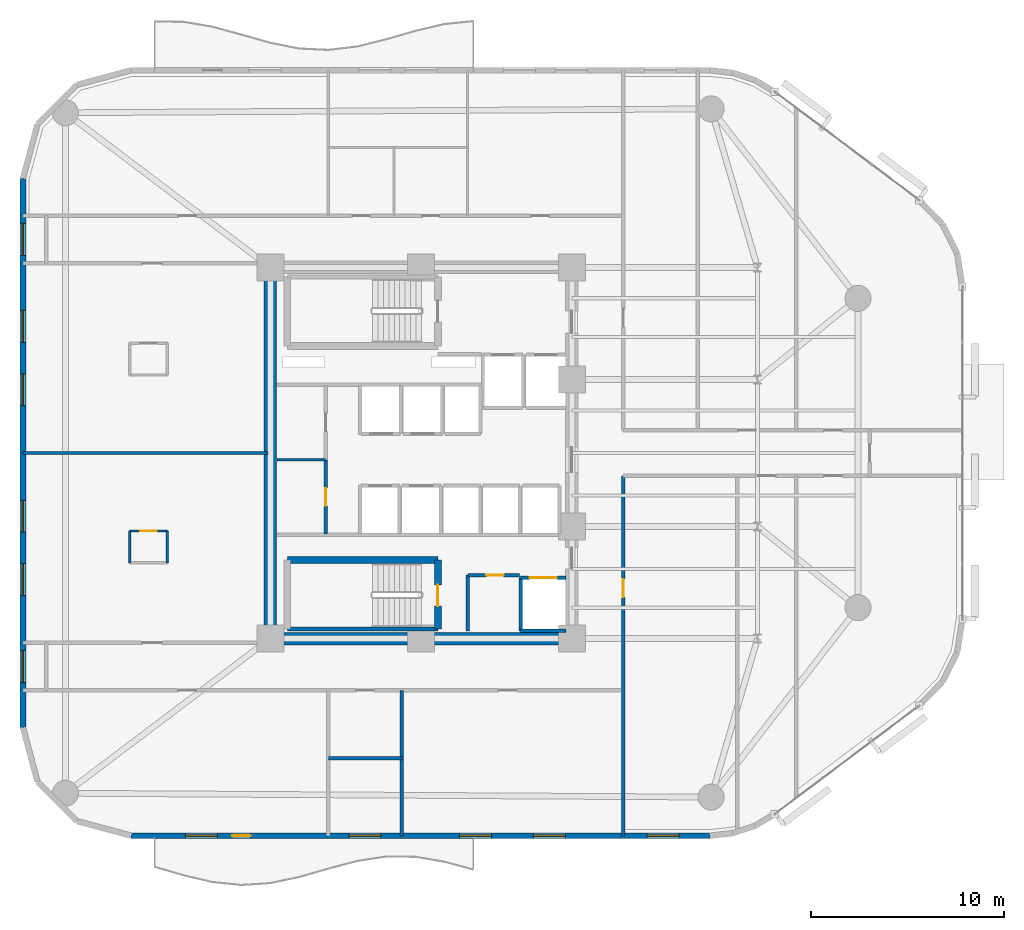
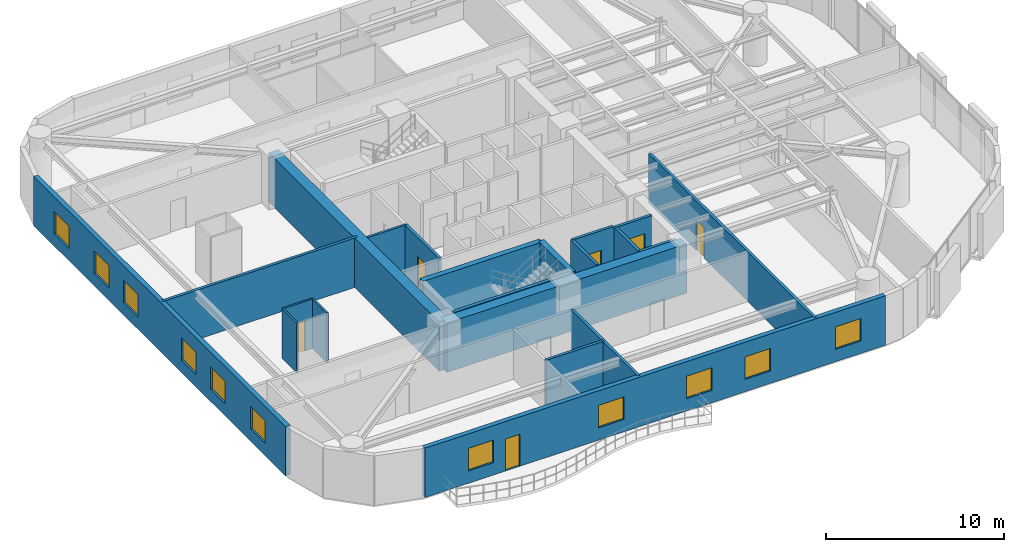
# One storey, part 10 of 16: 21 walls, 11 windows, 7 doors, 18 openings.
"""IFC4 building model written with IfcOpenShell, lengths in metres."""

import ifcopenshell
import ifcopenshell.guid

model = None  # the IFC model being written
_history = None  # IfcOwnerHistory: only IFC2X3 demands one
_inside = {}  # id of a spatial element -> (the spatial element, [elements in it])
_under = {}  # id of a project, library or spatial element -> (it, [spatial elements below it])
_declared = {}  # id of a project -> (the project, [libraries it declares])
_typed = {}  # id of a type object -> (the type object, [elements of that type])
_made_of = {}  # id of a material, layer set ... -> (it, [elements and type objects made of it])


def new_model(schema):
    """Start an empty IFC model of exactly this schema.

    Asked for "IFC4X3", IfcOpenShell would pick the latest addendum, in which some entities
    have other attributes; the version numbers below select the first issue.
    IFC2X3 requires an IfcOwnerHistory on every rooted entity: one is made here for all.
    """
    global model, _history
    if schema == "IFC4X3":
        model = ifcopenshell.file(schema_version=(4, 3, 0, 0))
    else:
        model = ifcopenshell.file(schema=schema)
    _inside.clear()
    _under.clear()
    _declared.clear()
    _typed.clear()
    _made_of.clear()
    _history = None
    if model.schema == "IFC2X3":
        org = make("IfcOrganization", Name="unknown")
        user = make(
            "IfcPersonAndOrganization",
            ThePerson=make("IfcPerson", FamilyName="unknown"),
            TheOrganization=org,
        )
        app = make(
            "IfcApplication",
            ApplicationDeveloper=org,
            Version="unknown",
            ApplicationFullName="unknown",
            ApplicationIdentifier="unknown",
        )
        _history = make(
            "IfcOwnerHistory",
            OwningUser=user,
            OwningApplication=app,
            ChangeAction="ADDED",
            CreationDate=0,
        )
    return model


def make(cls, **values):
    """One entity of the class cls with the attributes given. An attribute that is None is left unset."""
    return model.create_entity(
        cls, **{name: value for name, value in values.items() if value is not None}
    )


def rooted(cls, **values):
    """An entity with a GlobalId (a new one), such as an element, a storey or a relation."""
    return make(cls, GlobalId=ifcopenshell.guid.new(), OwnerHistory=_history, **values)


def si_unit(unit_type, name, prefix=None):
    """IfcSIUnit, for example si_unit("LENGTHUNIT", "METRE", prefix="MILLI")."""
    return make("IfcSIUnit", UnitType=unit_type, Prefix=prefix, Name=name)


def assignment(units):
    """IfcUnitAssignment: the units of a project."""
    return None if units is None else make("IfcUnitAssignment", Units=units)


def point(xyz):
    """IfcCartesianPoint."""
    return None if xyz is None else make("IfcCartesianPoint", Coordinates=xyz)


def direction(xyz):
    """IfcDirection."""
    return None if xyz is None else make("IfcDirection", DirectionRatios=xyz)


def frame(location, z_axis=None, x_axis=None):
    """IfcAxis2Placement3D, a coordinate frame: its origin and axes. An axis left out is left unset."""
    return make(
        "IfcAxis2Placement3D",
        Location=point(location),
        Axis=direction(z_axis),
        RefDirection=direction(x_axis),
    )


def frame_2d(location, x_axis=None):
    """IfcAxis2Placement2D, a coordinate frame in the plane: its origin and x axis."""
    return make(
        "IfcAxis2Placement2D", Location=point(location), RefDirection=direction(x_axis)
    )


def origin():
    """The frame at (0, 0, 0) with its axes left unset."""
    return frame((0.0, 0.0, 0.0))


def place(relative_to, where):
    """IfcLocalPlacement: puts the frame where relative to a parent placement (None: the world)."""
    return make(
        "IfcLocalPlacement", PlacementRelTo=relative_to, RelativePlacement=where
    )


def context(
    kind, dimensions, precision=None, world=None, true_north=None, identifier=None
):
    """IfcGeometricRepresentationContext, for example the 3D "Model" context."""
    return make(
        "IfcGeometricRepresentationContext",
        ContextIdentifier=identifier,
        ContextType=kind,
        CoordinateSpaceDimension=dimensions,
        Precision=precision,
        WorldCoordinateSystem=world,
        TrueNorth=true_north,
    )


def subcontext(parent, identifier, kind, view, scale=None):
    """IfcGeometricRepresentationSubContext, for example "Body" below "Model"."""
    return make(
        "IfcGeometricRepresentationSubContext",
        ContextIdentifier=identifier,
        ContextType=kind,
        ParentContext=parent,
        TargetScale=scale,
        TargetView=view,
    )


def project(units=None, contexts=None):
    """IfcProject with its units and contexts."""
    return rooted(
        "IfcProject",
        Name="project",
        RepresentationContexts=contexts,
        UnitsInContext=assignment(units),
    )


def spatial(cls, under=None, at=None, **own):
    """A site, building, storey or space (cls), placed at a placement, below another one or the project."""
    s = rooted(cls, ObjectPlacement=at, **own)
    if under is not None:
        _under.setdefault(under.id(), (under, []))[1].append(s)
    return s


def profile(cls, at=None, kind="AREA", **sizes):
    """A parametric profile (cls). Its sizes go by their IFC names, for example OverallWidth=200.0."""
    return make(cls, ProfileType=kind, Position=at, **sizes)


def rectangle(**sizes):
    """IfcRectangleProfileDef."""
    return profile("IfcRectangleProfileDef", **sizes)


def extrude(swept, where, along, depth):
    """IfcExtrudedAreaSolid: the profile swept, set in the frame where, extruded along a direction by depth."""
    return make(
        "IfcExtrudedAreaSolid",
        SweptArea=swept,
        Position=where,
        ExtrudedDirection=direction(along),
        Depth=depth,
    )


def shape(context_of_items, identifier, shape_type, items):
    """IfcShapeRepresentation: the items that make up one representation, for example the "Body"."""
    return make(
        "IfcShapeRepresentation",
        ContextOfItems=context_of_items,
        RepresentationIdentifier=identifier,
        RepresentationType=shape_type,
        Items=items,
    )


def material(Name=None, Category=None):
    """IfcMaterial."""
    return make("IfcMaterial", Name=Name, Category=Category)


def layer(
    of_material, thickness, ventilated=None, Name=None, Category=None, Priority=None
):
    """IfcMaterialLayer: one layer of a wall or slab, of a material (None: an air gap)."""
    return make(
        "IfcMaterialLayer",
        Material=of_material,
        LayerThickness=thickness,
        IsVentilated=ventilated,
        Name=Name,
        Category=Category,
        Priority=Priority,
    )


def layer_set(layers, Name=None):
    """IfcMaterialLayerSet."""
    return make("IfcMaterialLayerSet", MaterialLayers=layers, LayerSetName=Name)


def made_of(thing, what):
    """Note that an element or type object is made of a material, layer set ...; save() writes the relation."""
    if what is not None:
        _made_of.setdefault(what.id(), (what, []))[1].append(thing)
    return thing


def type_object(cls, material=None, **own):
    """A type object (cls), such as IfcWallType, which elements share."""
    return made_of(rooted(cls, **own), material)


def element(
    cls,
    number,
    at=None,
    inside=None,
    cuts=None,
    type_object=None,
    material=None,
    context=None,
    identifier="Body",
    shape_type=None,
    held_by="IfcProductDefinitionShape",
    body=None,
    shapes=None,
    **own,
):
    """One element of the class cls, such as IfcWall. Its Tag is "e" and its number.

    at: its placement. inside: the storey or other place that contains it. cuts: it is an
    opening in that element (IfcRelVoidsElement). A single representation is given by context,
    identifier, shape_type and body (its items); several are given by shapes. held_by: the class
    of the entity that holds the representations. save() writes the other relations.
    """
    e = rooted(cls, Tag="e%d" % number, ObjectPlacement=at, **own)
    if body is not None:
        shapes = [shape(context, identifier, shape_type, body)]
    if shapes is not None:
        e.Representation = make(held_by, Representations=shapes)
    if inside is not None:
        _inside.setdefault(inside.id(), (inside, []))[1].append(e)
    if cuts is not None:
        rooted(
            "IfcRelVoidsElement", RelatingBuildingElement=cuts, RelatedOpeningElement=e
        )
    if type_object is not None:
        _typed.setdefault(type_object.id(), (type_object, []))[1].append(e)
    return made_of(e, material)


def fill(opening, filler):
    """IfcRelFillsElement: the door or window that sits in an opening."""
    return rooted(
        "IfcRelFillsElement",
        RelatingOpeningElement=opening,
        RelatedBuildingElement=filler,
    )


def aggregate(whole, parts):
    """IfcRelAggregates: a whole, such as a stair, and the parts it consists of."""
    return rooted("IfcRelAggregates", RelatingObject=whole, RelatedObjects=parts)


def save(model, path):
    """Write the relations noted so far, then the file.

    IfcRelAggregates (storeys below a building ...), IfcRelContainedInSpatialStructure (elements
    in a storey), IfcRelDefinesByType, IfcRelAssociatesMaterial and IfcRelDeclares: one each for
    every whole, place, type object, material and project.
    """
    for whole, parts in _under.values():
        aggregate(whole, parts)
    for where, things in _inside.values():
        rooted(
            "IfcRelContainedInSpatialStructure",
            RelatedElements=things,
            RelatingStructure=where,
        )
    for kind, things in _typed.values():
        rooted("IfcRelDefinesByType", RelatedObjects=things, RelatingType=kind)
    for what, things in _made_of.values():
        rooted("IfcRelAssociatesMaterial", RelatedObjects=things, RelatingMaterial=what)
    for by, libraries in _declared.values():
        rooted("IfcRelDeclares", RelatingContext=by, RelatedDefinitions=libraries)
    model.write(path)


model = new_model("IFC4")

# Units and contexts
model_context = context("Model", 3, precision=1e-05, world=origin(), true_north=direction((0.0, 1.0)))
body_context = subcontext(model_context, "Body", "Model", "MODEL_VIEW")
ifc_project = project(units=[si_unit("LENGTHUNIT", "METRE"), si_unit("AREAUNIT", "SQUARE_METRE"), si_unit("VOLUMEUNIT", "CUBIC_METRE"), si_unit("PLANEANGLEUNIT", "RADIAN"), si_unit("MASSUNIT", "GRAM", prefix="KILO")], contexts=[model_context])

# Site, building, storey
site_placement = place(None, origin())
site = spatial("IfcSite", under=ifc_project, at=site_placement, CompositionType="ELEMENT")
building_placement = place(site_placement, origin())
building = spatial("IfcBuilding", under=site, at=building_placement, Name="An Khanh Terracotta Commons", CompositionType="ELEMENT")
storey_placement = place(building_placement, frame((0.0, 0.0, 118.699951171875)))
storey = spatial("IfcBuildingStorey", under=building, at=storey_placement, Name="L31", CompositionType="ELEMENT", Elevation=118.699951171875)

# Walls
ifc_material_1 = material(Name="Concrete C60/75", Category="concrete")
ifc_layer_1 = layer(ifc_material_1, 0.64990234375, Name="Concrete C60/75")
ifc_layer_set_1 = layer_set([ifc_layer_1], Name="Concrete C60/75")
wall_type_1 = type_object("IfcWallType", Name="WALL-CORE-650", PredefinedType="SHEAR", material=ifc_layer_set_1)
wall_1_placement = place(storey_placement, frame((21.60009765625, 14.39990234375, 0.0), z_axis=(0.0, 0.0, 1.0), x_axis=(0.0, 1.0, 0.0)))
element("IfcWall", 1, at=wall_1_placement, inside=storey, type_object=wall_type_1, Name="L31 Core Wall CWALL-L31-W", PredefinedType="SHEAR", context=body_context, shape_type="SweptSolid", body=[
    extrude(rectangle(XDim=19.2001953125, YDim=0.64990234375, at=frame_2d((9.60009765625, 0.0))), origin(), (0.0, 0.0, 1.0), 3.400146484375),
])
wall_2_placement = place(storey_placement, frame((37.199951171875, 14.39990234375, 0.0), z_axis=(0.0, 0.0, 1.0), x_axis=(-1.0, 0.0, 0.0)))
element("IfcWall", 2, at=wall_2_placement, inside=storey, type_object=wall_type_1, Name="L31 Core Wall CWALL-L31-S", PredefinedType="SHEAR", context=body_context, shape_type="SweptSolid", body=[
    extrude(rectangle(XDim=15.599853515625, YDim=0.64990234375, at=frame_2d((7.7998046875, 0.0))), origin(), (0.0, 0.0, 1.0), 3.400146484375),
])

# Wall, opening, door
ifc_material_2 = material(Name="Fire-Rated Gypsum Board on Steel Stud", Category="steel")
ifc_layer_2 = layer(ifc_material_2, 0.179931640625, Name="Fire-Rated Gypsum Board on Steel Stud")
ifc_layer_set_2 = layer_set([ifc_layer_2], Name="Fire-Rated Gypsum Board on Steel Stud")
wall_type_2 = type_object("IfcWallType", Name="WALL-CORR-180", PredefinedType="PARTITIONING", material=ifc_layer_set_2)
wall_3_placement = place(storey_placement, frame((31.820068359375, 17.679931640625, 0.0), z_axis=(0.0, 0.0, 1.0), x_axis=(1.0, 0.0, 0.0)))
wall_3 = element("IfcWall", 3, at=wall_3_placement, inside=storey, type_object=wall_type_2, Name="L31 Core Wall SSVCW-L31-N", PredefinedType="PARTITIONING", context=body_context, shape_type="SweptSolid", body=[
    extrude(rectangle(XDim=2.659912109375, YDim=0.179931640625, at=frame_2d((1.330078125, 0.0))), origin(), (0.0, 0.0, 1.0), 3.400146484375),
])
opening_1_placement = place(wall_3_placement, frame((0.949951171875, 0.0, 0.0)))
opening_1 = element("IfcOpeningElement", 4, at=opening_1_placement, cuts=wall_3, Name="Opening D-SV", PredefinedType="OPENING", context=body_context, shape_type="SweptSolid", body=[
    extrude(rectangle(XDim=0.89990234375, YDim=2.050048828125, at=frame_2d((0.449951171875, 1.02490234375))), frame((0.0, 0.099853515625, 0.0), z_axis=(0.0, -1.0, 0.0), x_axis=(1.0, 0.0, 0.0)), (0.0, 0.0, 1.0), 0.199951171875),
])
ifc_material_3 = material(Name="Fire-Rated Powder-Coated Steel Door", Category="steel")
door_type_1 = type_object("IfcDoorType", Name="DOOR-SERV-900", OperationType="NOTDEFINED", PredefinedType="DOOR", material=ifc_material_3)
door_1_placement = place(opening_1_placement, origin())
door_1 = element("IfcDoor", 5, at=door_1_placement, inside=storey, type_object=door_type_1, Name="L31 Electrical Switch Cupboard Door", OperationType="SINGLE_SWING_RIGHT", OverallHeight=2.050048828125, OverallWidth=0.89990234375, PredefinedType="DOOR", context=body_context, shape_type="SweptSolid", body=[
    extrude(rectangle(XDim=0.89990234375, YDim=2.050048828125, at=frame_2d((0.449951171875, 1.02490234375))), frame((0.0, 0.02490234375, 0.0), z_axis=(0.0, -1.0, 0.0), x_axis=(1.0, 0.0, 0.0)), (0.0, 0.0, 1.0), 0.050048828125),
])
fill(opening_1, door_1)

# Wall
wall_4_placement = place(storey_placement, frame((31.820068359375, 14.800048828125, 0.0), z_axis=(0.0, 0.0, 1.0), x_axis=(0.0, 1.0, 0.0)))
element("IfcWall", 6, at=wall_4_placement, inside=storey, type_object=wall_type_2, Name="L31 Core Wall SSVCW-L31-W", PredefinedType="PARTITIONING", context=body_context, shape_type="SweptSolid", body=[
    extrude(rectangle(XDim=2.8798828125, YDim=0.179931640625, at=frame_2d((1.43994140625, 0.0))), origin(), (0.0, 0.0, 1.0), 3.400146484375),
])

# Wall, opening, door
wall_5_placement = place(storey_placement, frame((34.550048828125, 17.550048828125, 0.0), z_axis=(0.0, 0.0, 1.0), x_axis=(1.0, 0.0, 0.0)))
wall_5 = element("IfcWall", 7, at=wall_5_placement, inside=storey, type_object=wall_type_2, Name="L31 Core Wall LSH-L31-SVL-01-N", PredefinedType="PARTITIONING", context=body_context, shape_type="SweptSolid", body=[
    extrude(rectangle(XDim=2.349853515625, YDim=0.179931640625, at=frame_2d((1.1748046875, 0.0))), origin(), (0.0, 0.0, 1.0), 3.400146484375),
])
opening_2_placement = place(wall_5_placement, frame((0.47509765625, 0.0, 0.0)))
opening_2 = element("IfcOpeningElement", 8, at=opening_2_placement, cuts=wall_5, Name="Opening LD-SVL-01-L31", PredefinedType="OPENING", context=body_context, shape_type="SweptSolid", body=[
    extrude(rectangle(XDim=1.39990234375, YDim=2.300048828125, at=frame_2d((0.699951171875, 1.14990234375))), frame((0.0, 0.099853515625, 0.0), z_axis=(0.0, -1.0, 0.0), x_axis=(1.0, 0.0, 0.0)), (0.0, 0.0, 1.0), 0.199951171875),
])
ifc_material_4 = material(Name="Heavy-Duty Stainless Steel Goods Landing Door", Category="steel")
door_type_2 = type_object("IfcDoorType", Name="DOOR-LD-SVL-1400", OperationType="NOTDEFINED", PredefinedType="DOOR", material=ifc_material_4)
door_2_placement = place(opening_2_placement, origin())
door_2 = element("IfcDoor", 9, at=door_2_placement, inside=storey, type_object=door_type_2, Name="L31 Lift SVL-01 Sliding Landing Door", OperationType="DOUBLE_DOOR_SLIDING", OverallHeight=2.300048828125, OverallWidth=1.39990234375, PredefinedType="DOOR", context=body_context, shape_type="SweptSolid", body=[
    extrude(rectangle(XDim=1.39990234375, YDim=2.300048828125, at=frame_2d((0.699951171875, 1.14990234375))), frame((0.0, 0.02490234375, 0.0), z_axis=(0.0, -1.0, 0.0), x_axis=(1.0, 0.0, 0.0)), (0.0, 0.0, 1.0), 0.050048828125),
])
fill(opening_2, door_2)

# Walls
wall_6_placement = place(storey_placement, frame((36.89990234375, 14.800048828125, 0.0), z_axis=(0.0, 0.0, 1.0), x_axis=(-1.0, 0.0, 0.0)))
element("IfcWall", 10, at=wall_6_placement, inside=storey, type_object=wall_type_2, Name="L31 Core Wall LSH-L31-SVL-01-S", PredefinedType="PARTITIONING", context=body_context, shape_type="SweptSolid", body=[
    extrude(rectangle(XDim=2.349853515625, YDim=0.179931640625, at=frame_2d((1.1748046875, 0.0))), origin(), (0.0, 0.0, 1.0), 3.400146484375),
])
wall_7_placement = place(storey_placement, frame((34.550048828125, 17.550048828125, 0.0), z_axis=(0.0, 0.0, 1.0), x_axis=(0.0, -1.0, 0.0)))
element("IfcWall", 11, at=wall_7_placement, inside=storey, type_object=wall_type_2, Name="L31 Core Wall LSH-L31-SVL-01-W", PredefinedType="PARTITIONING", context=body_context, shape_type="SweptSolid", body=[
    extrude(rectangle(XDim=2.75, YDim=0.179931640625, at=frame_2d((1.375, 0.0))), origin(), (0.0, 0.0, 1.0), 3.400146484375),
])

# Wall, opening, door
wall_8_placement = place(storey_placement, frame((24.4599609375, 19.800048828125, 0.0), z_axis=(0.0, 0.0, 1.0), x_axis=(0.0, 1.0, 0.0)))
wall_8 = element("IfcWall", 12, at=wall_8_placement, inside=storey, type_object=wall_type_2, Name="L31 Core Wall RECW-L31-E2", PredefinedType="PARTITIONING", context=body_context, shape_type="SweptSolid", body=[
    extrude(rectangle(XDim=3.849853515625, YDim=0.179931640625, at=frame_2d((1.9248046875, 0.0))), origin(), (0.0, 0.0, 1.0), 3.400146484375),
])
opening_3_placement = place(wall_8_placement, frame((1.465087890625, 0.0, 0.0)))
opening_3 = element("IfcOpeningElement", 13, at=opening_3_placement, cuts=wall_8, Name="Opening D-RM", PredefinedType="OPENING", context=body_context, shape_type="SweptSolid", body=[
    extrude(rectangle(XDim=0.919921875, YDim=2.10009765625, at=frame_2d((0.4599609375, 1.050048828125))), frame((0.0, 0.099853515625, 0.0), z_axis=(0.0, -1.0, 0.0), x_axis=(1.0, 0.0, 0.0)), (0.0, 0.0, 1.0), 0.199951171875),
])
ifc_material_5 = material(Name="Engineered Hardwood Timber Leaf", Category="wood")
door_type_3 = type_object("IfcDoorType", Name="DOOR-INT-920", OperationType="NOTDEFINED", PredefinedType="DOOR", material=ifc_material_5)
door_3_placement = place(opening_3_placement, origin())
door_3 = element("IfcDoor", 14, at=door_3_placement, inside=storey, type_object=door_type_3, Name="L31 Floor Pantry and Ice Room Door", OperationType="SINGLE_SWING_RIGHT", OverallHeight=2.10009765625, OverallWidth=0.919921875, PredefinedType="DOOR", context=body_context, shape_type="SweptSolid", body=[
    extrude(rectangle(XDim=0.919921875, YDim=2.10009765625, at=frame_2d((0.4599609375, 1.050048828125))), frame((0.0, 0.02490234375, 0.0), z_axis=(0.0, -1.0, 0.0), x_axis=(1.0, 0.0, 0.0)), (0.0, 0.0, 1.0), 0.050048828125),
])
fill(opening_3, door_3)

# Walls
wall_9_placement = place(storey_placement, frame((24.60009765625, 8.199951171875, 0.0), z_axis=(0.0, 0.0, 1.0), x_axis=(1.0, 0.0, 0.0)))
element("IfcWall", 15, at=wall_9_placement, inside=storey, type_object=wall_type_2, Name="L31 Interior Partition IW-L31-E001", PredefinedType="PARTITIONING", context=body_context, shape_type="SweptSolid", body=[
    extrude(rectangle(XDim=3.7998046875, YDim=0.179931640625, at=frame_2d((1.89990234375, 0.0))), origin(), (0.0, 0.0, 1.0), 3.400146484375),
])
wall_10_placement = place(storey_placement, frame((8.800048828125, 24.0, 0.0), z_axis=(0.0, 0.0, 1.0), x_axis=(1.0, 0.0, 0.0)))
element("IfcWall", 16, at=wall_10_placement, inside=storey, type_object=wall_type_2, Name="L31 Interior Partition IW-L31-E005", PredefinedType="PARTITIONING", context=body_context, shape_type="SweptSolid", body=[
    extrude(rectangle(XDim=12.679931640625, YDim=0.179931640625, at=frame_2d((6.33984375, 0.0))), origin(), (0.0, 0.0, 1.0), 3.400146484375),
])
wall_11_placement = place(storey_placement, frame((28.39990234375, 4.199951171875, 0.0), z_axis=(0.0, 0.0, 1.0), x_axis=(0.0, 1.0, 0.0)))
element("IfcWall", 17, at=wall_11_placement, inside=storey, type_object=wall_type_2, Name="L31 Interior Partition IW-L31-E015", PredefinedType="PARTITIONING", context=body_context, shape_type="SweptSolid", body=[
    extrude(rectangle(XDim=7.52001953125, YDim=0.179931640625, at=frame_2d((3.760009765625, 0.0))), origin(), (0.0, 0.0, 1.0), 3.400146484375),
])

# Wall, opening, door
wall_12_placement = place(storey_placement, frame((39.85009765625, 4.199951171875, 0.0), z_axis=(0.0, 0.0, 1.0), x_axis=(0.0, 1.0, 0.0)))
wall_12 = element("IfcWall", 18, at=wall_12_placement, inside=storey, type_object=wall_type_2, Name="L31 Interior Partition IW-L31-E017", PredefinedType="PARTITIONING", context=body_context, shape_type="SweptSolid", body=[
    extrude(rectangle(XDim=18.6201171875, YDim=0.179931640625, at=frame_2d((9.31005859375, 0.0))), origin(), (0.0, 0.0, 1.0), 3.400146484375),
])
opening_4_placement = place(wall_12_placement, frame((12.35009765625, 0.0, 0.0)))
opening_4 = element("IfcOpeningElement", 19, at=opening_4_placement, cuts=wall_12, Name="Opening D-RM", PredefinedType="OPENING", context=body_context, shape_type="SweptSolid", body=[
    extrude(rectangle(XDim=0.919921875, YDim=2.10009765625, at=frame_2d((0.4599609375, 1.050048828125))), frame((0.0, 0.099853515625, 0.0), z_axis=(0.0, -1.0, 0.0), x_axis=(1.0, 0.0, 0.0)), (0.0, 0.0, 1.0), 0.199951171875),
])
door_4_placement = place(opening_4_placement, origin())
door_4 = element("IfcDoor", 20, at=door_4_placement, inside=storey, type_object=door_type_3, Name="L31 SB1 Collaborative Study Lounge Door", OperationType="SINGLE_SWING_RIGHT", OverallHeight=2.10009765625, OverallWidth=0.919921875, PredefinedType="DOOR", context=body_context, shape_type="SweptSolid", body=[
    extrude(rectangle(XDim=0.919921875, YDim=2.10009765625, at=frame_2d((0.4599609375, 1.050048828125))), frame((0.0, 0.02490234375, 0.0), z_axis=(0.0, -1.0, 0.0), x_axis=(1.0, 0.0, 0.0)), (0.0, 0.0, 1.0), 0.050048828125),
])
fill(opening_4, door_4)

# Wall, openings, door, windows
ifc_material_6 = material(Name="Precast concrete C40/50", Category="concrete")
ifc_layer_3 = layer(ifc_material_6, 0.300048828125, Name="Precast concrete C40/50")
ifc_layer_set_3 = layer_set([ifc_layer_3], Name="Precast concrete C40/50")
wall_type_3 = type_object("IfcWallType", Name="WALL-EXT-300", PredefinedType="SOLIDWALL", material=ifc_layer_set_3)
wall_13_placement = place(storey_placement, frame((14.39990234375, 4.199951171875, 0.0), z_axis=(0.0, 0.0, 1.0), x_axis=(1.0, 0.0, 0.0)))
wall_13 = element("IfcWall", 21, at=wall_13_placement, inside=storey, type_object=wall_type_3, Name="L31 Insulated Terracotta Exterior Wall 4", PredefinedType="SOLIDWALL", context=body_context, shape_type="SweptSolid", body=[
    extrude(rectangle(XDim=29.93310546875, YDim=0.300048828125, at=frame_2d((14.966552734375, 0.0))), origin(), (0.0, 0.0, 1.0), 3.400146484375),
])
opening_5_placement = place(wall_13_placement, frame((5.22509765625, 0.0, 0.0)))
opening_5 = element("IfcOpeningElement", 22, at=opening_5_placement, cuts=wall_13, Name="Opening D-BAL", PredefinedType="OPENING", context=body_context, shape_type="SweptSolid", body=[
    extrude(rectangle(XDim=0.949951171875, YDim=2.199951171875, at=frame_2d((0.47509765625, 1.10009765625))), frame((0.0, 0.159912109375, 0.0), z_axis=(0.0, -1.0, 0.0), x_axis=(1.0, 0.0, 0.0)), (0.0, 0.0, 1.0), 0.320068359375),
])
opening_6_placement = place(wall_13_placement, frame((2.80810546875, 0.0, 0.85009765625)))
opening_6 = element("IfcOpeningElement", 23, at=opening_6_placement, cuts=wall_13, Name="Opening W-02", PredefinedType="OPENING", context=body_context, shape_type="SweptSolid", body=[
    extrude(rectangle(XDim=1.64990234375, YDim=1.550048828125, at=frame_2d((0.824951171875, 0.77490234375))), frame((0.0, 0.159912109375, 0.0), z_axis=(0.0, -1.0, 0.0), x_axis=(1.0, 0.0, 0.0)), (0.0, 0.0, 1.0), 0.320068359375),
])
opening_7_placement = place(wall_13_placement, frame((11.27490234375, 0.0, 0.85009765625)))
opening_7 = element("IfcOpeningElement", 24, at=opening_7_placement, cuts=wall_13, Name="Opening W-02", PredefinedType="OPENING", context=body_context, shape_type="SweptSolid", body=[
    extrude(rectangle(XDim=1.64990234375, YDim=1.550048828125, at=frame_2d((0.824951171875, 0.77490234375))), frame((0.0, 0.159912109375, 0.0), z_axis=(0.0, -1.0, 0.0), x_axis=(1.0, 0.0, 0.0)), (0.0, 0.0, 1.0), 0.320068359375),
])
opening_8_placement = place(wall_13_placement, frame((16.991943359375, 0.0, 0.85009765625)))
opening_8 = element("IfcOpeningElement", 25, at=opening_8_placement, cuts=wall_13, Name="Opening W-02", PredefinedType="OPENING", context=body_context, shape_type="SweptSolid", body=[
    extrude(rectangle(XDim=1.64990234375, YDim=1.550048828125, at=frame_2d((0.824951171875, 0.77490234375))), frame((0.0, 0.159912109375, 0.0), z_axis=(0.0, -1.0, 0.0), x_axis=(1.0, 0.0, 0.0)), (0.0, 0.0, 1.0), 0.320068359375),
])
opening_9_placement = place(wall_13_placement, frame((20.80810546875, 0.0, 0.85009765625)))
opening_9 = element("IfcOpeningElement", 26, at=opening_9_placement, cuts=wall_13, Name="Opening W-02", PredefinedType="OPENING", context=body_context, shape_type="SweptSolid", body=[
    extrude(rectangle(XDim=1.64990234375, YDim=1.550048828125, at=frame_2d((0.824951171875, 0.77490234375))), frame((0.0, 0.159912109375, 0.0), z_axis=(0.0, -1.0, 0.0), x_axis=(1.0, 0.0, 0.0)), (0.0, 0.0, 1.0), 0.320068359375),
])
opening_10_placement = place(wall_13_placement, frame((26.69189453125, 0.0, 0.85009765625)))
opening_10 = element("IfcOpeningElement", 27, at=opening_10_placement, cuts=wall_13, Name="Opening W-02", PredefinedType="OPENING", context=body_context, shape_type="SweptSolid", body=[
    extrude(rectangle(XDim=1.64990234375, YDim=1.550048828125, at=frame_2d((0.824951171875, 0.77490234375))), frame((0.0, 0.159912109375, 0.0), z_axis=(0.0, -1.0, 0.0), x_axis=(1.0, 0.0, 0.0)), (0.0, 0.0, 1.0), 0.320068359375),
])
ifc_material_7 = material(Name="Thermally Broken Aluminium and Low-E Glass", Category="aluminium")
door_type_4 = type_object("IfcDoorType", Name="DOOR-BALC-950", OperationType="NOTDEFINED", PredefinedType="DOOR", material=ifc_material_7)
door_5_placement = place(opening_5_placement, origin())
door_5 = element("IfcDoor", 28, at=door_5_placement, inside=storey, type_object=door_type_4, Name="L31 S Wave Balcony Glazed Door", OperationType="SINGLE_SWING_LEFT", OverallHeight=2.199951171875, OverallWidth=0.949951171875, PredefinedType="DOOR", context=body_context, shape_type="SweptSolid", body=[
    extrude(rectangle(XDim=0.949951171875, YDim=2.199951171875, at=frame_2d((0.47509765625, 1.10009765625))), frame((0.0, 0.02490234375, 0.0), z_axis=(0.0, -1.0, 0.0), x_axis=(1.0, 0.0, 0.0)), (0.0, 0.0, 1.0), 0.050048828125),
])
fill(opening_5, door_5)
window_type = type_object("IfcWindowType", Name="WIN-Z2-1650x1550", PartitioningType="DOUBLE_PANEL_VERTICAL", PredefinedType="WINDOW", material=ifc_material_7)
window_1_placement = place(opening_6_placement, origin())
window_1 = element("IfcWindow", 29, at=window_1_placement, inside=storey, type_object=window_type, Name="L31 Operable Casement Window 4.1", OverallHeight=1.550048828125, OverallWidth=1.64990234375, PartitioningType="DOUBLE_PANEL_VERTICAL", PredefinedType="WINDOW", context=body_context, shape_type="SweptSolid", body=[
    extrude(rectangle(XDim=1.64990234375, YDim=1.550048828125, at=frame_2d((0.824951171875, 0.77490234375))), frame((0.0, 0.030029296875, 0.0), z_axis=(0.0, -1.0, 0.0), x_axis=(1.0, 0.0, 0.0)), (0.0, 0.0, 1.0), 0.06005859375),
])
fill(opening_6, window_1)
window_2_placement = place(opening_7_placement, origin())
window_2 = element("IfcWindow", 30, at=window_2_placement, inside=storey, type_object=window_type, Name="L31 Operable Casement Window 4.2", OverallHeight=1.550048828125, OverallWidth=1.64990234375, PartitioningType="DOUBLE_PANEL_VERTICAL", PredefinedType="WINDOW", context=body_context, shape_type="SweptSolid", body=[
    extrude(rectangle(XDim=1.64990234375, YDim=1.550048828125, at=frame_2d((0.824951171875, 0.77490234375))), frame((0.0, 0.030029296875, 0.0), z_axis=(0.0, -1.0, 0.0), x_axis=(1.0, 0.0, 0.0)), (0.0, 0.0, 1.0), 0.06005859375),
])
fill(opening_7, window_2)
window_3_placement = place(opening_8_placement, origin())
window_3 = element("IfcWindow", 31, at=window_3_placement, inside=storey, type_object=window_type, Name="L31 Operable Casement Window 4.3", OverallHeight=1.550048828125, OverallWidth=1.64990234375, PartitioningType="DOUBLE_PANEL_VERTICAL", PredefinedType="WINDOW", context=body_context, shape_type="SweptSolid", body=[
    extrude(rectangle(XDim=1.64990234375, YDim=1.550048828125, at=frame_2d((0.824951171875, 0.77490234375))), frame((0.0, 0.030029296875, 0.0), z_axis=(0.0, -1.0, 0.0), x_axis=(1.0, 0.0, 0.0)), (0.0, 0.0, 1.0), 0.06005859375),
])
fill(opening_8, window_3)
window_4_placement = place(opening_9_placement, origin())
window_4 = element("IfcWindow", 32, at=window_4_placement, inside=storey, type_object=window_type, Name="L31 Operable Casement Window 4.4", OverallHeight=1.550048828125, OverallWidth=1.64990234375, PartitioningType="DOUBLE_PANEL_VERTICAL", PredefinedType="WINDOW", context=body_context, shape_type="SweptSolid", body=[
    extrude(rectangle(XDim=1.64990234375, YDim=1.550048828125, at=frame_2d((0.824951171875, 0.77490234375))), frame((0.0, 0.030029296875, 0.0), z_axis=(0.0, -1.0, 0.0), x_axis=(1.0, 0.0, 0.0)), (0.0, 0.0, 1.0), 0.06005859375),
])
fill(opening_9, window_4)
window_5_placement = place(opening_10_placement, origin())
window_5 = element("IfcWindow", 33, at=window_5_placement, inside=storey, type_object=window_type, Name="L31 Operable Casement Window 4.5", OverallHeight=1.550048828125, OverallWidth=1.64990234375, PartitioningType="DOUBLE_PANEL_VERTICAL", PredefinedType="WINDOW", context=body_context, shape_type="SweptSolid", body=[
    extrude(rectangle(XDim=1.64990234375, YDim=1.550048828125, at=frame_2d((0.824951171875, 0.77490234375))), frame((0.0, 0.030029296875, 0.0), z_axis=(0.0, -1.0, 0.0), x_axis=(1.0, 0.0, 0.0)), (0.0, 0.0, 1.0), 0.06005859375),
])
fill(opening_10, window_5)

# Wall, openings, windows
wall_14_placement = place(storey_placement, frame((8.800048828125, 38.199951171875, 0.0), z_axis=(0.0, 0.0, 1.0), x_axis=(0.0, -1.0, 0.0)))
wall_14 = element("IfcWall", 34, at=wall_14_placement, inside=storey, type_object=wall_type_3, Name="L31 Insulated Terracotta Exterior Wall 24", PredefinedType="SOLIDWALL", context=body_context, shape_type="SweptSolid", body=[
    extrude(rectangle(XDim=28.39990234375, YDim=0.300048828125, at=frame_2d((14.199951171875, 0.0))), origin(), (0.0, 0.0, 1.0), 3.400146484375),
])
opening_11_placement = place(wall_14_placement, frame((2.324951171875, 0.0, 0.85009765625)))
opening_11 = element("IfcOpeningElement", 35, at=opening_11_placement, cuts=wall_14, Name="Opening W-02", PredefinedType="OPENING", context=body_context, shape_type="SweptSolid", body=[
    extrude(rectangle(XDim=1.64990234375, YDim=1.550048828125, at=frame_2d((0.824951171875, 0.77490234375))), frame((0.0, 0.159912109375, 0.0), z_axis=(0.0, -1.0, 0.0), x_axis=(1.0, 0.0, 0.0)), (0.0, 0.0, 1.0), 0.320068359375),
])
opening_12_placement = place(wall_14_placement, frame((6.827880859375, 0.0, 0.85009765625)))
opening_12 = element("IfcOpeningElement", 36, at=opening_12_placement, cuts=wall_14, Name="Opening W-02", PredefinedType="OPENING", context=body_context, shape_type="SweptSolid", body=[
    extrude(rectangle(XDim=1.64990234375, YDim=1.550048828125, at=frame_2d((0.824951171875, 0.77490234375))), frame((0.0, 0.159912109375, 0.0), z_axis=(0.0, -1.0, 0.0), x_axis=(1.0, 0.0, 0.0)), (0.0, 0.0, 1.0), 0.320068359375),
])
opening_13_placement = place(wall_14_placement, frame((10.10205078125, 0.0, 0.85009765625)))
opening_13 = element("IfcOpeningElement", 37, at=opening_13_placement, cuts=wall_14, Name="Opening W-02", PredefinedType="OPENING", context=body_context, shape_type="SweptSolid", body=[
    extrude(rectangle(XDim=1.64990234375, YDim=1.550048828125, at=frame_2d((0.824951171875, 0.77490234375))), frame((0.0, 0.159912109375, 0.0), z_axis=(0.0, -1.0, 0.0), x_axis=(1.0, 0.0, 0.0)), (0.0, 0.0, 1.0), 0.320068359375),
])
opening_14_placement = place(wall_14_placement, frame((16.64794921875, 0.0, 0.85009765625)))
opening_14 = element("IfcOpeningElement", 38, at=opening_14_placement, cuts=wall_14, Name="Opening W-02", PredefinedType="OPENING", context=body_context, shape_type="SweptSolid", body=[
    extrude(rectangle(XDim=1.64990234375, YDim=1.550048828125, at=frame_2d((0.824951171875, 0.77490234375))), frame((0.0, 0.159912109375, 0.0), z_axis=(0.0, -1.0, 0.0), x_axis=(1.0, 0.0, 0.0)), (0.0, 0.0, 1.0), 0.320068359375),
])
opening_15_placement = place(wall_14_placement, frame((19.922119140625, 0.0, 0.85009765625)))
opening_15 = element("IfcOpeningElement", 39, at=opening_15_placement, cuts=wall_14, Name="Opening W-02", PredefinedType="OPENING", context=body_context, shape_type="SweptSolid", body=[
    extrude(rectangle(XDim=1.64990234375, YDim=1.550048828125, at=frame_2d((0.824951171875, 0.77490234375))), frame((0.0, 0.159912109375, 0.0), z_axis=(0.0, -1.0, 0.0), x_axis=(1.0, 0.0, 0.0)), (0.0, 0.0, 1.0), 0.320068359375),
])
opening_16_placement = place(wall_14_placement, frame((24.425048828125, 0.0, 0.85009765625)))
opening_16 = element("IfcOpeningElement", 40, at=opening_16_placement, cuts=wall_14, Name="Opening W-02", PredefinedType="OPENING", context=body_context, shape_type="SweptSolid", body=[
    extrude(rectangle(XDim=1.64990234375, YDim=1.550048828125, at=frame_2d((0.824951171875, 0.77490234375))), frame((0.0, 0.159912109375, 0.0), z_axis=(0.0, -1.0, 0.0), x_axis=(1.0, 0.0, 0.0)), (0.0, 0.0, 1.0), 0.320068359375),
])
window_6_placement = place(opening_11_placement, origin())
window_6 = element("IfcWindow", 41, at=window_6_placement, inside=storey, type_object=window_type, Name="L31 Operable Casement Window 24.1", OverallHeight=1.550048828125, OverallWidth=1.64990234375, PartitioningType="DOUBLE_PANEL_VERTICAL", PredefinedType="WINDOW", context=body_context, shape_type="SweptSolid", body=[
    extrude(rectangle(XDim=1.64990234375, YDim=1.550048828125, at=frame_2d((0.824951171875, 0.77490234375))), frame((0.0, 0.030029296875, 0.0), z_axis=(0.0, -1.0, 0.0), x_axis=(1.0, 0.0, 0.0)), (0.0, 0.0, 1.0), 0.06005859375),
])
fill(opening_11, window_6)
window_7_placement = place(opening_12_placement, origin())
window_7 = element("IfcWindow", 42, at=window_7_placement, inside=storey, type_object=window_type, Name="L31 Operable Casement Window 24.2", OverallHeight=1.550048828125, OverallWidth=1.64990234375, PartitioningType="DOUBLE_PANEL_VERTICAL", PredefinedType="WINDOW", context=body_context, shape_type="SweptSolid", body=[
    extrude(rectangle(XDim=1.64990234375, YDim=1.550048828125, at=frame_2d((0.824951171875, 0.77490234375))), frame((0.0, 0.030029296875, 0.0), z_axis=(0.0, -1.0, 0.0), x_axis=(1.0, 0.0, 0.0)), (0.0, 0.0, 1.0), 0.06005859375),
])
fill(opening_12, window_7)
window_8_placement = place(opening_13_placement, origin())
window_8 = element("IfcWindow", 43, at=window_8_placement, inside=storey, type_object=window_type, Name="L31 Operable Casement Window 24.3", OverallHeight=1.550048828125, OverallWidth=1.64990234375, PartitioningType="DOUBLE_PANEL_VERTICAL", PredefinedType="WINDOW", context=body_context, shape_type="SweptSolid", body=[
    extrude(rectangle(XDim=1.64990234375, YDim=1.550048828125, at=frame_2d((0.824951171875, 0.77490234375))), frame((0.0, 0.030029296875, 0.0), z_axis=(0.0, -1.0, 0.0), x_axis=(1.0, 0.0, 0.0)), (0.0, 0.0, 1.0), 0.06005859375),
])
fill(opening_13, window_8)
window_9_placement = place(opening_14_placement, origin())
window_9 = element("IfcWindow", 44, at=window_9_placement, inside=storey, type_object=window_type, Name="L31 Operable Casement Window 24.4", OverallHeight=1.550048828125, OverallWidth=1.64990234375, PartitioningType="DOUBLE_PANEL_VERTICAL", PredefinedType="WINDOW", context=body_context, shape_type="SweptSolid", body=[
    extrude(rectangle(XDim=1.64990234375, YDim=1.550048828125, at=frame_2d((0.824951171875, 0.77490234375))), frame((0.0, 0.030029296875, 0.0), z_axis=(0.0, -1.0, 0.0), x_axis=(1.0, 0.0, 0.0)), (0.0, 0.0, 1.0), 0.06005859375),
])
fill(opening_14, window_9)
window_10_placement = place(opening_15_placement, origin())
window_10 = element("IfcWindow", 45, at=window_10_placement, inside=storey, type_object=window_type, Name="L31 Operable Casement Window 24.5", OverallHeight=1.550048828125, OverallWidth=1.64990234375, PartitioningType="DOUBLE_PANEL_VERTICAL", PredefinedType="WINDOW", context=body_context, shape_type="SweptSolid", body=[
    extrude(rectangle(XDim=1.64990234375, YDim=1.550048828125, at=frame_2d((0.824951171875, 0.77490234375))), frame((0.0, 0.030029296875, 0.0), z_axis=(0.0, -1.0, 0.0), x_axis=(1.0, 0.0, 0.0)), (0.0, 0.0, 1.0), 0.06005859375),
])
fill(opening_15, window_10)
window_11_placement = place(opening_16_placement, origin())
window_11 = element("IfcWindow", 46, at=window_11_placement, inside=storey, type_object=window_type, Name="L31 Operable Casement Window 24.6", OverallHeight=1.550048828125, OverallWidth=1.64990234375, PartitioningType="DOUBLE_PANEL_VERTICAL", PredefinedType="WINDOW", context=body_context, shape_type="SweptSolid", body=[
    extrude(rectangle(XDim=1.64990234375, YDim=1.550048828125, at=frame_2d((0.824951171875, 0.77490234375))), frame((0.0, 0.030029296875, 0.0), z_axis=(0.0, -1.0, 0.0), x_axis=(1.0, 0.0, 0.0)), (0.0, 0.0, 1.0), 0.06005859375),
])
fill(opening_16, window_11)

# Walls
ifc_material_8 = material(Name="Acoustic Gypsum Board Partition")
ifc_layer_4 = layer(ifc_material_8, 0.14990234375, Name="Acoustic Gypsum Board Partition")
ifc_layer_set_4 = layer_set([ifc_layer_4], Name="Acoustic Gypsum Board Partition")
wall_type_4 = type_object("IfcWallType", Name="WALL-PART-150", PredefinedType="PARTITIONING", material=ifc_layer_set_4)
wall_15_placement = place(storey_placement, frame((21.949951171875, 23.64990234375, 0.0), z_axis=(0.0, 0.0, 1.0), x_axis=(1.0, 0.0, 0.0)))
element("IfcWall", 47, at=wall_15_placement, inside=storey, type_object=wall_type_4, Name="L31 Core Wall RECW-L31-M", PredefinedType="PARTITIONING", context=body_context, shape_type="SweptSolid", body=[
    extrude(rectangle(XDim=2.510009765625, YDim=0.14990234375, at=frame_2d((1.2548828125, 0.0))), origin(), (0.0, 0.0, 1.0), 3.400146484375),
])
ifc_material_9 = material(Name="Acoustic Double-Stud Gypsum and Mineral Wool")
ifc_layer_5 = layer(ifc_material_9, 0.219970703125, Name="Acoustic Double-Stud Gypsum and Mineral Wool")
ifc_layer_set_5 = layer_set([ifc_layer_5], Name="Acoustic Double-Stud Gypsum and Mineral Wool")
wall_type_5 = type_object("IfcWallType", Name="WALL-PARTY-220", PredefinedType="PARTITIONING", material=ifc_layer_set_5)
wall_16_placement = place(storey_placement, frame((22.47998046875, 14.889892578125, 0.0), z_axis=(0.0, 0.0, 1.0), x_axis=(1.0, 0.0, 0.0)))
element("IfcWall", 48, at=wall_16_placement, inside=storey, type_object=wall_type_5, Name="L31 Core Wall STW-L31-S-S", PredefinedType="PARTITIONING", context=body_context, shape_type="SweptSolid", body=[
    extrude(rectangle(XDim=7.7900390625, YDim=0.219970703125, at=frame_2d((3.89501953125, 0.0))), origin(), (0.0, 0.0, 1.0), 3.400146484375),
])
ifc_material_10 = material(Name="Concrete C50/60", Category="concrete")
ifc_layer_6 = layer(ifc_material_10, 0.35009765625, Name="Concrete C50/60")
ifc_layer_set_6 = layer_set([ifc_layer_6], Name="Concrete C50/60")
wall_type_6 = type_object("IfcWallType", Name="WALL-SHAFT-350", PredefinedType="SOLIDWALL", material=ifc_layer_set_6)
wall_17_placement = place(storey_placement, frame((22.47998046875, 18.469970703125, 0.0), z_axis=(0.0, 0.0, 1.0), x_axis=(1.0, 0.0, 0.0)))
element("IfcWall", 49, at=wall_17_placement, inside=storey, type_object=wall_type_6, Name="L31 Core Wall STW-L31-S-N", PredefinedType="SOLIDWALL", context=body_context, shape_type="SweptSolid", body=[
    extrude(rectangle(XDim=7.7900390625, YDim=0.35009765625, at=frame_2d((3.89501953125, 0.0))), origin(), (0.0, 0.0, 1.0), 3.400146484375),
])

# Wall, opening, door
wall_18_placement = place(storey_placement, frame((30.27001953125, 14.889892578125, 0.0), z_axis=(0.0, 0.0, 1.0), x_axis=(0.0, 1.0, 0.0)))
wall_18 = element("IfcWall", 50, at=wall_18_placement, inside=storey, type_object=wall_type_6, Name="L31 Core Wall STW-L31-S-E", PredefinedType="SOLIDWALL", context=body_context, shape_type="SweptSolid", body=[
    extrude(rectangle(XDim=3.580078125, YDim=0.35009765625, at=frame_2d((1.7900390625, 0.0))), origin(), (0.0, 0.0, 1.0), 3.400146484375),
])
opening_17_placement = place(wall_18_placement, frame((1.18994140625, 0.0, 0.0)))
opening_17 = element("IfcOpeningElement", 51, at=opening_17_placement, cuts=wall_18, Name="Opening D-ST", PredefinedType="OPENING", context=body_context, shape_type="SweptSolid", body=[
    extrude(rectangle(XDim=1.10009765625, YDim=2.14990234375, at=frame_2d((0.550048828125, 1.074951171875))), frame((0.0, 0.18505859375, 0.0), z_axis=(0.0, -1.0, 0.0), x_axis=(1.0, 0.0, 0.0)), (0.0, 0.0, 1.0), 0.3701171875),
])
ifc_material_11 = material(Name="Fire-Rated Steel Leaf and Frame", Category="steel")
door_type_5 = type_object("IfcDoorType", Name="DOOR-STAIR-1100", OperationType="NOTDEFINED", PredefinedType="DOOR", material=ifc_material_11)
door_6_placement = place(opening_17_placement, origin())
door_6 = element("IfcDoor", 52, at=door_6_placement, inside=storey, type_object=door_type_5, Name="L31 Stair ST-02 Fire Door", OperationType="SINGLE_SWING_LEFT", OverallHeight=2.14990234375, OverallWidth=1.10009765625, PredefinedType="DOOR", context=body_context, shape_type="SweptSolid", body=[
    extrude(rectangle(XDim=1.10009765625, YDim=2.14990234375, at=frame_2d((0.550048828125, 1.074951171875))), frame((0.0, 0.02490234375, 0.0), z_axis=(0.0, -1.0, 0.0), x_axis=(1.0, 0.0, 0.0)), (0.0, 0.0, 1.0), 0.050048828125),
])
fill(opening_17, door_6)

ifc_material_12 = material(Name="Moisture-Resistant Cement Board Partition")
ifc_layer_7 = layer(ifc_material_12, 0.1201171875, Name="Moisture-Resistant Cement Board Partition")
ifc_layer_set_7 = layer_set([ifc_layer_7], Name="Moisture-Resistant Cement Board Partition")
wall_type_7 = type_object("IfcWallType", Name="WALL-WET-120", PredefinedType="PARTITIONING", material=ifc_layer_set_7)
wall_19_placement = place(storey_placement, frame((14.324951171875, 19.965087890625, 0.0), z_axis=(0.0, 0.0, 1.0), x_axis=(1.0, 0.0, 0.0)))
wall_19 = element("IfcWall", 53, at=wall_19_placement, inside=storey, type_object=wall_type_7, Name="L31 Interior Partition IW-L31-WW1-BN", PredefinedType="PARTITIONING", context=body_context, shape_type="SweptSolid", body=[
    extrude(rectangle(XDim=1.949951171875, YDim=0.1201171875, at=frame_2d((0.97509765625, 0.0))), origin(), (0.0, 0.0, 1.0), 3.400146484375),
])
opening_18_placement = place(wall_19_placement, frame((0.544921875, 0.0, 0.0)))
opening_18 = element("IfcOpeningElement", 54, at=opening_18_placement, cuts=wall_19, Name="Opening D-ENS", PredefinedType="OPENING", context=body_context, shape_type="SweptSolid", body=[
    extrude(rectangle(XDim=0.860107421875, YDim=2.10009765625, at=frame_2d((0.43017578125, 1.050048828125))), frame((0.0, 0.070068359375, 0.0), z_axis=(0.0, -1.0, 0.0), x_axis=(1.0, 0.0, 0.0)), (0.0, 0.0, 1.0), 0.14013671875),
])
ifc_material_13 = material(Name="Moisture-Resistant Hardwood Timber Leaf", Category="wood")
door_type_6 = type_object("IfcDoorType", Name="DOOR-BATH-860", OperationType="NOTDEFINED", PredefinedType="DOOR", material=ifc_material_13)
door_7_placement = place(opening_18_placement, origin())
door_7 = element("IfcDoor", 55, at=door_7_placement, inside=storey, type_object=door_type_6, Name="L31 Studio WW1 En-suite Door", OperationType="SINGLE_SWING_LEFT", OverallHeight=2.10009765625, OverallWidth=0.860107421875, PredefinedType="DOOR", context=body_context, shape_type="SweptSolid", body=[
    extrude(rectangle(XDim=0.860107421875, YDim=2.10009765625, at=frame_2d((0.43017578125, 1.050048828125))), frame((0.0, 0.02490234375, 0.0), z_axis=(0.0, -1.0, 0.0), x_axis=(1.0, 0.0, 0.0)), (0.0, 0.0, 1.0), 0.050048828125),
])
fill(opening_18, door_7)

# Walls
for number, where, z_axis, x_axis, name in (
    (56, (14.324951171875, 19.965087890625, 0.0), (0.0, 0.0, 1.0), (0.0, -1.0, 0.0), "L31 Interior Partition IW-L31-WW1-BW"),
    (57, (16.27490234375, 18.31494140625, 0.0), (0.0, 0.0, 1.0), (0.0, 1.0, 0.0), "L31 Interior Partition IW-L31-WW1-BE"),
):
    element("IfcWall", number, at=place(storey_placement, frame(where, z_axis=z_axis, x_axis=x_axis)), inside=storey, type_object=wall_type_7, Name=name, PredefinedType="PARTITIONING", context=body_context, shape_type="SweptSolid", body=[
        extrude(rectangle(XDim=1.650146484375, YDim=0.1201171875, at=frame_2d((0.8251953125, 0.0))), origin(), (0.0, 0.0, 1.0), 3.400146484375),
    ])

save(model, "model.ifc")
